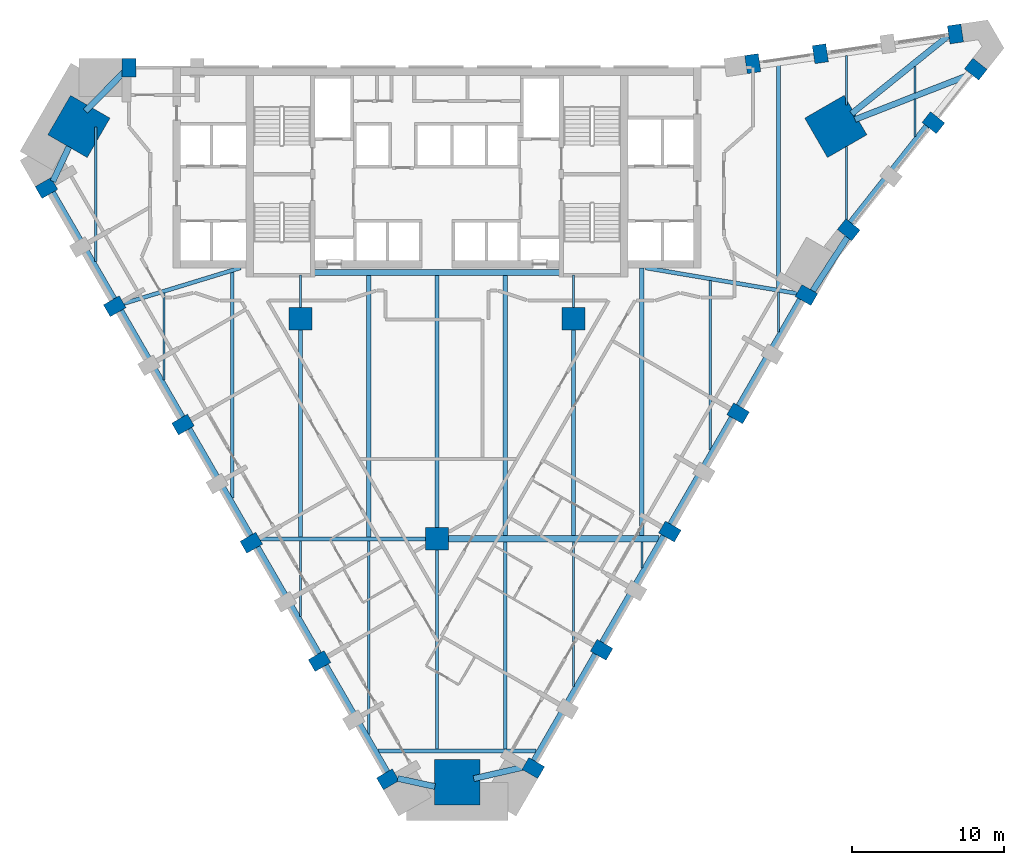
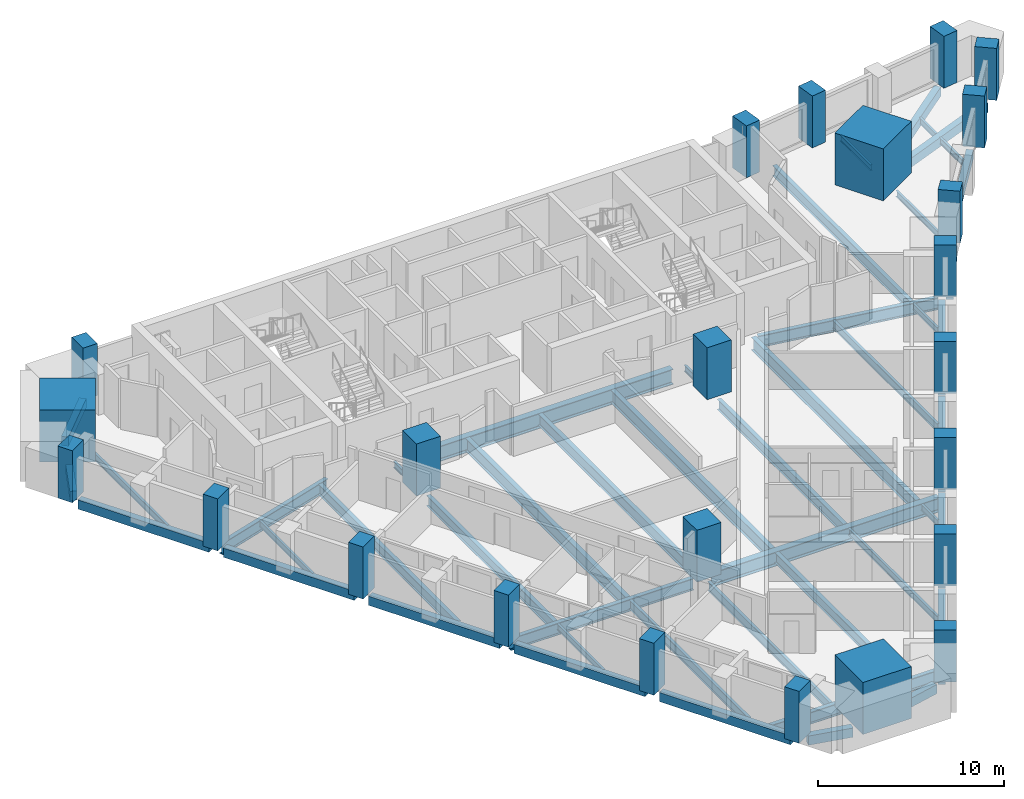
# One storey, part 1 of 10: 47 beams, 24 columns.
"""IFC4 building model written with IfcOpenShell, lengths in metres."""

from ifc_helpers import new_model, si_unit, direction, frame, origin, origin_2d, place, context, subcontext, project, spatial, rectangle, i_section, extrude, material, material_profile, profile_set, type_object, element, save


model = new_model("IFC4")

# Units and contexts
model_context = context("Model", 3, precision=1e-05, world=origin(), true_north=direction((0.0, 1.0)))
body_context = subcontext(model_context, "Body", "Model", "MODEL_VIEW")
ifc_project = project(units=[si_unit("LENGTHUNIT", "METRE"), si_unit("AREAUNIT", "SQUARE_METRE"), si_unit("VOLUMEUNIT", "CUBIC_METRE"), si_unit("PLANEANGLEUNIT", "RADIAN"), si_unit("MASSUNIT", "GRAM", prefix="KILO")], contexts=[model_context])

# Site, building, storey
site_placement = place(None, origin())
site = spatial("IfcSite", under=ifc_project, at=site_placement, CompositionType="ELEMENT")
building_placement = place(site_placement, origin())
building = spatial("IfcBuilding", under=site, at=building_placement, Name="Calabash Gate Tower", CompositionType="ELEMENT")
storey_placement = place(building_placement, frame((0.0, 0.0, 95.199951171875)))
storey = spatial("IfcBuildingStorey", under=building, at=storey_placement, Name="L20", CompositionType="ELEMENT", Elevation=95.199951171875)

# Columns
ifc_material_1 = material(Name="Concrete C80/95", Category="concrete")
ifc_material_profile_1 = material_profile(ifc_material_1, rectangle(XDim=1.5, YDim=1.5, at=origin_2d()))
ifc_profile_set_1 = profile_set([ifc_material_profile_1], Name="Concrete C80/95")
column_type_1 = type_object("IfcColumnType", Name="Interior column RC 1500x1500 Concrete C80/95", PredefinedType="COLUMN", material=ifc_profile_set_1)
for number, where, z_axis, x_axis, name in (
    (1, (-9.0, 2.5, 0.0), (0.0, 0.0, 1.0), (1.0, 0.0, 0.0), "Interior column L20 I0"),
    (2, (9.0, 2.5, 0.0), (0.0, 0.0, 1.0), (1.0, 0.0, 0.0), "Interior column L20 I1"),
    (3, (0.0, -12.0, 0.0), (0.0, 0.0, 1.0), (1.0, 0.0, 0.0), "Interior column L20 I2"),
):
    element("IfcColumn", number, at=place(storey_placement, frame(where, z_axis=z_axis, x_axis=x_axis)), inside=storey, type_object=column_type_1, Name=name, PredefinedType="COLUMN", context=body_context, shape_type="SweptSolid", body=[
        extrude(rectangle(XDim=1.5, YDim=1.5, at=origin_2d()), origin(), (0.0, 0.0, 1.0), 3.400146484375),
    ])
ifc_material_2 = material(Name="Concrete C80/95", Category="concrete")
ifc_material_profile_2 = material_profile(ifc_material_2, rectangle(XDim=3.0, YDim=3.0, at=origin_2d()))
ifc_profile_set_2 = profile_set([ifc_material_profile_2], Name="Concrete C80/95")
column_type_2 = type_object("IfcColumnType", Name="Mega column RC 3000x3000 Concrete C80/95", PredefinedType="COLUMN", material=ifc_profile_set_2)
for number, where, z_axis, x_axis, name in (
    (4, (-23.60302734375, 15.177001953125, 0.0), (0.0, 0.0, 1.0), (0.866025438691, -0.49999993954, 0.0), "Mega column L20 NW"),
    (5, (26.283935546875, 15.177001953125, 0.0), (0.0, 0.0, 1.0), (-0.866025438691, -0.49999993954, 0.0), "Mega column L20 NE"),
    (6, (1.340087890625, -28.030029296875, 0.0), (0.0, 0.0, 1.0), (0.0, 1.0, 0.0), "Mega column L20 S"),
):
    element("IfcColumn", number, at=place(storey_placement, frame(where, z_axis=z_axis, x_axis=x_axis)), inside=storey, type_object=column_type_2, Name=name, PredefinedType="COLUMN", context=body_context, shape_type="SweptSolid", body=[
        extrude(rectangle(XDim=3.0, YDim=3.0, at=origin_2d()), origin(), (0.0, 0.0, 1.0), 3.400146484375),
    ])
ifc_material_3 = material(Name="Concrete C70/85", Category="concrete")
ifc_material_profile_3 = material_profile(ifc_material_3, rectangle(XDim=0.89990234375, YDim=1.199951171875, at=origin_2d()))
ifc_profile_set_3 = profile_set([ifc_material_profile_3], Name="Concrete C70/85")
column_type_3 = type_object("IfcColumnType", Name="Perimeter column RC 900x1200 Concrete C70/85", PredefinedType="COLUMN", material=ifc_profile_set_3)
for number, where, z_axis, x_axis, name in (
    (7, (-25.740966796875, 11.118896484375, 0.0), (0.0, 0.0, 1.0), (0.5, -0.866025403784, 0.0), "Perimeter column L20 P20"),
    (8, (-21.240966796875, 3.326904296875, 0.0), (0.0, 0.0, 1.0), (0.5, -0.866025403784, 0.0), "Perimeter column L20 P00"),
    (9, (-16.740966796875, -4.468994140625, 0.0), (0.0, 0.0, 1.0), (0.5, -0.866025403784, 0.0), "Perimeter column L20 P01"),
    (10, (-12.240966796875, -12.262939453125, 0.0), (0.0, 0.0, 1.0), (0.5, -0.866025403784, 0.0), "Perimeter column L20 P02"),
    (11, (-7.740966796875, -20.05810546875, 0.0), (0.0, 0.0, 1.0), (0.5, -0.866025403784, 0.0), "Perimeter column L20 P03"),
    (12, (-3.240966796875, -27.85205078125, 0.0), (0.0, 0.0, 1.0), (0.5, -0.866025403784, 0.0), "Perimeter column L20 P05"),
    (13, (6.346923828125, -27.111083984375, 0.0), (0.0, 0.0, 1.0), (0.5, 0.866025403784, 0.0), "Perimeter column L20 P08"),
    (14, (10.846923828125, -19.31689453125, 0.0), (0.0, 0.0, 1.0), (0.5, 0.866025403784, 0.0), "Perimeter column L20 P09"),
    (15, (15.346923828125, -11.52294921875, 0.0), (0.0, 0.0, 1.0), (0.5, 0.866025403784, 0.0), "Perimeter column L20 P10"),
    (16, (19.846923828125, -3.72802734375, 0.0), (0.0, 0.0, 1.0), (0.5, 0.866025403784, 0.0), "Perimeter column L20 P11"),
    (17, (24.346923828125, 4.06591796875, 0.0), (0.0, 0.0, 1.0), (0.5, 0.866025403784, 0.0), "Perimeter column L20 P12"),
    (18, (27.135986328125, 8.366943359375, 0.0), (0.0, 0.0, 1.0), (0.620301172202, 0.784363726701, 0.0), "Perimeter column L20 P13"),
    (19, (32.718994140625, 15.424072265625, 0.0), (0.0, 0.0, 1.0), (0.620301172202, 0.784363726701, 0.0), "Perimeter column L20 P21"),
    (20, (35.510009765625, 18.9541015625, 0.0), (0.0, 0.0, 1.0), (0.620301172202, 0.784363726701, 0.0), "Perimeter column L20 P22"),
    (21, (34.169921875, 21.27587890625, 0.0), (0.0, 0.0, 1.0), (-0.989429504293, -0.145014675236, 0.0), "Perimeter column L20 P23"),
    (22, (25.26708984375, 19.970947265625, 0.0), (0.0, 0.0, 1.0), (-0.989429504293, -0.145014675236, 0.0), "Perimeter column L20 P16"),
    (23, (20.81201171875, 19.318115234375, 0.0), (0.0, 0.0, 1.0), (-0.989429504293, -0.145014675236, 0.0), "Perimeter column L20 P24"),
    (24, (-20.302978515625, 19.052978515625, 0.0), (0.0, 0.0, 1.0), (-1.0, 0.0, 0.0), "Perimeter column L20 P17"),
):
    element("IfcColumn", number, at=place(storey_placement, frame(where, z_axis=z_axis, x_axis=x_axis)), inside=storey, type_object=column_type_3, Name=name, PredefinedType="COLUMN", context=body_context, shape_type="SweptSolid", body=[
        extrude(rectangle(XDim=0.89990234375, YDim=1.199951171875, at=origin_2d()), origin(), (0.0, 0.0, 1.0), 3.400146484375),
    ])

# Beams
ifc_material_4 = material(Name="Concrete C60/75", Category="concrete")
ifc_material_profile_4 = material_profile(ifc_material_4, rectangle(XDim=0.39990234375, YDim=0.60009765625, at=origin_2d()))
ifc_profile_set_4 = profile_set([ifc_material_profile_4], Name="Concrete C60/75")
beam_type_1 = type_object("IfcBeamType", Name="Edge beam RC 400x600 Concrete C60/75", PredefinedType="BEAM", material=ifc_profile_set_4)
beam_1_placement = place(storey_placement, frame((-16.343017578125, -4.759033203125, -0.469970703125), z_axis=(0.499999880539, -0.866025472755, 0.0), x_axis=(0.866025472755, 0.499999880539, 0.0)))
element("IfcBeam", 25, at=beam_1_placement, inside=storey, type_object=beam_type_1, Name="Edge beam L20 1", PredefinedType="BEAM", context=body_context, shape_type="SweptSolid", body=[
    extrude(rectangle(XDim=0.39990234375, YDim=0.60009765625, at=origin_2d()), origin(), (0.0, 0.0, 1.0), 8.10009765625),
])
for number, where, z_axis, x_axis, name in (
    (26, (-11.843017578125, -12.552978515625, -0.469970703125), (0.499986829629, -0.866033007568, 0.0), (0.866033007568, 0.499986829629, 0.0), "Edge beam L20 2"),
    (27, (-7.343017578125, -20.346923828125, -0.469970703125), (0.499986829629, -0.866033007568, 0.0), (0.866033007568, 0.499986829629, 0.0), "Edge beam L20 3"),
):
    element("IfcBeam", number, at=place(storey_placement, frame(where, z_axis=z_axis, x_axis=x_axis)), inside=storey, type_object=beam_type_1, Name=name, PredefinedType="BEAM", context=body_context, shape_type="SweptSolid", body=[
        extrude(rectangle(XDim=0.39990234375, YDim=0.60009765625, at=origin_2d()), origin(), (0.0, 0.0, 1.0), 8.100341796875),
    ])
beam_2_placement = place(storey_placement, frame((-2.592041015625, -27.79296875, -0.469970703125), z_axis=(0.976668907424, -0.214750658372, 0.0), x_axis=(0.214750658372, 0.976668907424, 0.0)))
element("IfcBeam", 28, at=beam_2_placement, inside=storey, type_object=beam_type_1, Name="Edge beam L20 4", PredefinedType="BEAM", context=body_context, shape_type="SweptSolid", body=[
    extrude(rectangle(XDim=0.39990234375, YDim=0.60009765625, at=origin_2d()), origin(), (0.0, 0.0, 1.0), 2.5146484375),
])
beam_3_placement = place(storey_placement, frame((2.41796875, -27.805908203125, -0.469970703125), z_axis=(0.974636441544, 0.223794117022, 0.0), x_axis=(-0.223794117022, 0.974636441544, 0.0)))
element("IfcBeam", 29, at=beam_3_placement, inside=storey, type_object=beam_type_1, Name="Edge beam L20 5", PredefinedType="BEAM", context=body_context, shape_type="SweptSolid", body=[
    extrude(rectangle(XDim=0.39990234375, YDim=0.60009765625, at=origin_2d()), origin(), (0.0, 0.0, 1.0), 3.364501953125),
])
beam_4_placement = place(storey_placement, frame((6.39892578125, -26.62109375, -0.469970703125), z_axis=(0.499986829629, 0.866033007568, 0.0), x_axis=(-0.866033007568, 0.499986829629, 0.0)))
element("IfcBeam", 30, at=beam_4_placement, inside=storey, type_object=beam_type_1, Name="Edge beam L20 6", PredefinedType="BEAM", context=body_context, shape_type="SweptSolid", body=[
    extrude(rectangle(XDim=0.39990234375, YDim=0.60009765625, at=origin_2d()), origin(), (0.0, 0.0, 1.0), 8.100341796875),
])
for number, where, z_axis, x_axis, name in (
    (31, (10.89892578125, -18.826904296875, -0.469970703125), (0.499999880539, 0.866025472755, 0.0), (-0.866025472755, 0.499999880539, 0.0), "Edge beam L20 7"),
    (32, (15.39892578125, -11.032958984375, -0.469970703125), (0.499999880539, 0.866025472755, 0.0), (-0.866025472755, 0.499999880539, 0.0), "Edge beam L20 8"),
    (33, (19.89892578125, -3.239013671875, -0.469970703125), (0.499999880539, 0.866025472755, 0.0), (-0.866025472755, 0.499999880539, 0.0), "Edge beam L20 9"),
):
    element("IfcBeam", number, at=place(storey_placement, frame(where, z_axis=z_axis, x_axis=x_axis)), inside=storey, type_object=beam_type_1, Name=name, PredefinedType="BEAM", context=body_context, shape_type="SweptSolid", body=[
        extrude(rectangle(XDim=0.39990234375, YDim=0.60009765625, at=origin_2d()), origin(), (0.0, 0.0, 1.0), 8.10009765625),
    ])
beam_5_placement = place(storey_placement, frame((24.75390625, 4.326904296875, -0.469970703125), z_axis=(0.544376860002, 0.83884076814, 0.0), x_axis=(-0.83884076814, 0.544376860002, 0.0)))
element("IfcBeam", 34, at=beam_5_placement, inside=storey, type_object=beam_type_1, Name="Edge beam L20 10", PredefinedType="BEAM", context=body_context, shape_type="SweptSolid", body=[
    extrude(rectangle(XDim=0.39990234375, YDim=0.60009765625, at=origin_2d()), origin(), (0.0, 0.0, 1.0), 4.22509765625),
])
beam_6_placement = place(storey_placement, frame((27.259033203125, 8.842041015625, -0.469970703125), z_axis=(0.620163994237, 0.784472192147, 0.0), x_axis=(-0.784472192147, 0.620163994237, 0.0)))
element("IfcBeam", 35, at=beam_6_placement, inside=storey, type_object=beam_type_1, Name="Edge beam L20 11", PredefinedType="BEAM", context=body_context, shape_type="SweptSolid", body=[
    extrude(rectangle(XDim=0.39990234375, YDim=0.60009765625, at=origin_2d()), origin(), (0.0, 0.0, 1.0), 8.10107421875),
])
beam_7_placement = place(storey_placement, frame((35.22705078125, 18.62890625, -0.469970703125), z_axis=(-0.931717680749, -0.363183374317, 0.0), x_axis=(0.363183374317, -0.931717680749, 0.0)))
element("IfcBeam", 36, at=beam_7_placement, inside=storey, type_object=beam_type_1, Name="Edge beam L20 13", PredefinedType="BEAM", context=body_context, shape_type="SweptSolid", body=[
    extrude(rectangle(XDim=0.39990234375, YDim=0.60009765625, at=origin_2d()), origin(), (0.0, 0.0, 1.0), 8.24609375),
])
beam_8_placement = place(storey_placement, frame((27.323974609375, 16.01708984375, -0.469970703125), z_axis=(0.778669142045, 0.62743475137, 0.0), x_axis=(-0.62743475137, 0.778669142045, 0.0)))
element("IfcBeam", 37, at=beam_8_placement, inside=storey, type_object=beam_type_1, Name="Edge beam L20 14", PredefinedType="BEAM", context=body_context, shape_type="SweptSolid", body=[
    extrude(rectangle(XDim=0.39990234375, YDim=0.60009765625, at=origin_2d()), origin(), (0.0, 0.0, 1.0), 8.24755859375),
])
beam_9_placement = place(storey_placement, frame((-20.5419921875, 18.845947265625, -0.469970703125), z_axis=(-0.70442676578, -0.70977667731, 0.0), x_axis=(0.70977667731, -0.70442676578, 0.0)))
element("IfcBeam", 38, at=beam_9_placement, inside=storey, type_object=beam_type_1, Name="Edge beam L20 17", PredefinedType="BEAM", context=body_context, shape_type="SweptSolid", body=[
    extrude(rectangle(XDim=0.39990234375, YDim=0.60009765625, at=origin_2d()), origin(), (0.0, 0.0, 1.0), 3.741943359375),
])
beam_10_placement = place(storey_placement, frame((-24.259033203125, 13.837890625, -0.469970703125), z_axis=(-0.42085214223, -0.907129248994, 0.0), x_axis=(0.907129248994, -0.42085214223, 0.0)))
element("IfcBeam", 39, at=beam_10_placement, inside=storey, type_object=beam_type_1, Name="Edge beam L20 18", PredefinedType="BEAM", context=body_context, shape_type="SweptSolid", body=[
    extrude(rectangle(XDim=0.39990234375, YDim=0.60009765625, at=origin_2d()), origin(), (0.0, 0.0, 1.0), 2.518798828125),
])
beam_11_placement = place(storey_placement, frame((-25.343017578125, 10.830078125, -0.469970703125), z_axis=(0.500091252813, -0.865972712538, 0.0), x_axis=(0.865972712538, 0.500091252813, 0.0)))
element("IfcBeam", 40, at=beam_11_placement, inside=storey, type_object=beam_type_1, Name="Edge beam L20 19", PredefinedType="BEAM", context=body_context, shape_type="SweptSolid", body=[
    extrude(rectangle(XDim=0.39990234375, YDim=0.60009765625, at=origin_2d()), origin(), (0.0, 0.0, 1.0), 8.0986328125),
])
beam_12_placement = place(storey_placement, frame((-20.843017578125, 3.037109375, -0.469970703125), z_axis=(0.499934631664, -0.866063140922, 0.0), x_axis=(0.866063140922, 0.499934631664, 0.0)))
element("IfcBeam", 41, at=beam_12_placement, inside=storey, type_object=beam_type_1, Name="Edge beam L20 20", PredefinedType="BEAM", context=body_context, shape_type="SweptSolid", body=[
    extrude(rectangle(XDim=0.39990234375, YDim=0.60009765625, at=origin_2d()), origin(), (0.0, 0.0, 1.0), 8.10107421875),
])
ifc_material_5 = material(Name="Steel ASTM A992 Gr50", Category="steel")
ifc_material_profile_5 = material_profile(ifc_material_5, i_section(OverallWidth=0.1396484375, OverallDepth=0.398681640625, WebThickness=0.00634765625, FlangeThickness=0.0087890625, FilletRadius=0.01025390625, at=origin_2d()))
ifc_profile_set_5 = profile_set([ifc_material_profile_5], Name="Steel ASTM A992 Gr50")
beam_type_2 = type_object("IfcBeamType", Name="Floor beam W16x26 ASTM A992 Gr50", PredefinedType="BEAM", material=ifc_profile_set_5)
beam_13_placement = place(storey_placement, frame((-18.0, -1.52001953125, -0.368896484375), z_axis=(0.0, 1.0, 0.0), x_axis=(-1.0, 0.0, 0.0)))
element("IfcBeam", 42, at=beam_13_placement, inside=storey, type_object=beam_type_2, Name="Floor beam L20 2", PredefinedType="BEAM", context=body_context, shape_type="SweptSolid", body=[
    extrude(i_section(OverallWidth=0.1396484375, OverallDepth=0.398681640625, WebThickness=0.00634765625, FlangeThickness=0.0087890625, FilletRadius=0.01025390625, at=origin_2d()), origin(), (0.0, 0.0, 1.0), 5.718994140625),
])
beam_14_placement = place(storey_placement, frame((-9.0, -17.10791015625, -0.368896484375), z_axis=(0.0, 1.0, 0.0), x_axis=(-1.0, 0.0, 0.0)))
element("IfcBeam", 43, at=beam_14_placement, inside=storey, type_object=beam_type_2, Name="Floor beam L20 4", PredefinedType="BEAM", context=body_context, shape_type="SweptSolid", body=[
    extrude(i_section(OverallWidth=0.1396484375, OverallDepth=0.398681640625, WebThickness=0.00634765625, FlangeThickness=0.0087890625, FilletRadius=0.01025390625, at=origin_2d()), origin(), (0.0, 0.0, 1.0), 4.974853515625),
])
for number, where, z_axis, x_axis, name in (
    (44, (-9.0, 3.25, -0.368896484375), (0.0, 1.0, 0.0), (-1.0, 0.0, 0.0), "Floor beam L20 6"),
    (45, (9.0, 3.25, -0.368896484375), (0.0, 1.0, 0.0), (-1.0, 0.0, 0.0), "Floor beam L20 15"),
):
    element("IfcBeam", number, at=place(storey_placement, frame(where, z_axis=z_axis, x_axis=x_axis)), inside=storey, type_object=beam_type_2, Name=name, PredefinedType="BEAM", context=body_context, shape_type="SweptSolid", body=[
        extrude(i_section(OverallWidth=0.1396484375, OverallDepth=0.398681640625, WebThickness=0.00634765625, FlangeThickness=0.0087890625, FilletRadius=0.01025390625, at=origin_2d()), origin(), (0.0, 0.0, 1.0), 2.153076171875),
    ])
beam_15_placement = place(storey_placement, frame((13.5, -13.93408203125, -0.368896484375), z_axis=(0.0, 1.0, 0.0), x_axis=(-1.0, 0.0, 0.0)))
element("IfcBeam", 46, at=beam_15_placement, inside=storey, type_object=beam_type_2, Name="Floor beam L20 16", PredefinedType="BEAM", context=body_context, shape_type="SweptSolid", body=[
    extrude(i_section(OverallWidth=0.1396484375, OverallDepth=0.398681640625, WebThickness=0.00634765625, FlangeThickness=0.0087890625, FilletRadius=0.01025390625, at=origin_2d()), origin(), (0.0, 0.0, 1.0), 1.72412109375),
])
beam_16_placement = place(storey_placement, frame((22.5, 1.634033203125, -0.368896484375), z_axis=(0.0, 1.0, 0.0), x_axis=(-1.0, 0.0, 0.0)))
element("IfcBeam", 47, at=beam_16_placement, inside=storey, type_object=beam_type_2, Name="Floor beam L20 19", PredefinedType="BEAM", context=body_context, shape_type="SweptSolid", body=[
    extrude(i_section(OverallWidth=0.1396484375, OverallDepth=0.398681640625, WebThickness=0.00634765625, FlangeThickness=0.0087890625, FilletRadius=0.01025390625, at=origin_2d()), origin(), (0.0, 0.0, 1.0), 2.623046875),
])
beam_17_placement = place(storey_placement, frame((27.0, 9.02392578125, -0.368896484375), z_axis=(0.0, 1.0, 0.0), x_axis=(-1.0, 0.0, 0.0)))
element("IfcBeam", 48, at=beam_17_placement, inside=storey, type_object=beam_type_2, Name="Floor beam L20 21", PredefinedType="BEAM", context=body_context, shape_type="SweptSolid", body=[
    extrude(i_section(OverallWidth=0.1396484375, OverallDepth=0.398681640625, WebThickness=0.00634765625, FlangeThickness=0.0087890625, FilletRadius=0.01025390625, at=origin_2d()), origin(), (0.0, 0.0, 1.0), 4.84716796875),
])
beam_18_placement = place(storey_placement, frame((27.0, 16.60400390625, -0.368896484375), z_axis=(0.0, 1.0, 0.0), x_axis=(-1.0, 0.0, 0.0)))
element("IfcBeam", 49, at=beam_18_placement, inside=storey, type_object=beam_type_2, Name="Floor beam L20 22", PredefinedType="BEAM", context=body_context, shape_type="SweptSolid", body=[
    extrude(i_section(OverallWidth=0.1396484375, OverallDepth=0.398681640625, WebThickness=0.00634765625, FlangeThickness=0.0087890625, FilletRadius=0.01025390625, at=origin_2d()), origin(), (0.0, 0.0, 1.0), 3.2490234375),
])
beam_19_placement = place(storey_placement, frame((31.5, 14.51611328125, -0.368896484375), z_axis=(0.0, 1.0, 0.0), x_axis=(-1.0, 0.0, 0.0)))
element("IfcBeam", 50, at=beam_19_placement, inside=storey, type_object=beam_type_2, Name="Floor beam L20 23", PredefinedType="BEAM", context=body_context, shape_type="SweptSolid", body=[
    extrude(i_section(OverallWidth=0.1396484375, OverallDepth=0.398681640625, WebThickness=0.00634765625, FlangeThickness=0.0087890625, FilletRadius=0.01025390625, at=origin_2d()), origin(), (0.0, 0.0, 1.0), 2.477783203125),
])
beam_20_placement = place(storey_placement, frame((31.5, 17.37890625, -0.368896484375), z_axis=(0.0, 1.0, 0.0), x_axis=(-1.0, 0.0, 0.0)))
element("IfcBeam", 51, at=beam_20_placement, inside=storey, type_object=beam_type_2, Name="Floor beam L20 24", PredefinedType="BEAM", context=body_context, shape_type="SweptSolid", body=[
    extrude(i_section(OverallWidth=0.1396484375, OverallDepth=0.398681640625, WebThickness=0.00634765625, FlangeThickness=0.0087890625, FilletRadius=0.01025390625, at=origin_2d()), origin(), (0.0, 0.0, 1.0), 1.76708984375),
])
ifc_material_6 = material(Name="Steel ASTM A992 Gr50", Category="steel")
ifc_material_profile_6 = material_profile(ifc_material_6, i_section(OverallWidth=0.15234375, OverallDepth=0.44970703125, WebThickness=0.007568359375, FlangeThickness=0.0107421875, FilletRadius=0.01025390625, at=origin_2d()))
ifc_profile_set_6 = profile_set([ifc_material_profile_6], Name="Steel ASTM A992 Gr50")
beam_type_3 = type_object("IfcBeamType", Name="Floor beam W18x35 ASTM A992 Gr50", PredefinedType="BEAM", material=ifc_profile_set_6)
beam_21_placement = place(storey_placement, frame((-22.5, 6.27392578125, -0.39306640625), z_axis=(0.0, 1.0, 0.0), x_axis=(-1.0, 0.0, 0.0)))
element("IfcBeam", 52, at=beam_21_placement, inside=storey, type_object=beam_type_3, Name="Floor beam L20 1", PredefinedType="BEAM", context=body_context, shape_type="SweptSolid", body=[
    extrude(i_section(OverallWidth=0.15234375, OverallDepth=0.44970703125, WebThickness=0.007568359375, FlangeThickness=0.0107421875, FilletRadius=0.01025390625, at=origin_2d()), origin(), (0.0, 0.0, 1.0), 8.8681640625),
])
beam_22_placement = place(storey_placement, frame((9.0, -21.72900390625, -0.39306640625), z_axis=(0.0, 1.0, 0.0), x_axis=(-1.0, 0.0, 0.0)))
element("IfcBeam", 53, at=beam_22_placement, inside=storey, type_object=beam_type_3, Name="Floor beam L20 13", PredefinedType="BEAM", context=body_context, shape_type="SweptSolid", body=[
    extrude(i_section(OverallWidth=0.15234375, OverallDepth=0.44970703125, WebThickness=0.007568359375, FlangeThickness=0.0107421875, FilletRadius=0.01025390625, at=origin_2d()), origin(), (0.0, 0.0, 1.0), 9.51904296875),
])
ifc_material_7 = material(Name="Steel ASTM A992 Gr50", Category="steel")
ifc_material_profile_7 = material_profile(ifc_material_7, i_section(OverallWidth=0.166015625, OverallDepth=0.5283203125, WebThickness=0.009765625, FlangeThickness=0.013671875, FilletRadius=0.0126953125, at=origin_2d()))
ifc_profile_set_7 = profile_set([ifc_material_profile_7], Name="Steel ASTM A992 Gr50")
beam_type_4 = type_object("IfcBeamType", Name="Floor beam W21x50 ASTM A992 Gr50", PredefinedType="BEAM", material=ifc_profile_set_7)
beam_23_placement = place(storey_placement, frame((18.0, -6.159912109375, -0.433837890625), z_axis=(0.0, 1.0, 0.0), x_axis=(-1.0, 0.0, 0.0)))
element("IfcBeam", 54, at=beam_23_placement, inside=storey, type_object=beam_type_4, Name="Floor beam L20 18", PredefinedType="BEAM", context=body_context, shape_type="SweptSolid", body=[
    extrude(i_section(OverallWidth=0.166015625, OverallDepth=0.5283203125, WebThickness=0.009765625, FlangeThickness=0.013671875, FilletRadius=0.0126953125, at=origin_2d()), origin(), (0.0, 0.0, 1.0), 11.197021484375),
])
ifc_material_8 = material(Name="Steel ASTM A992 Gr50", Category="steel")
ifc_material_profile_8 = material_profile(ifc_material_8, i_section(OverallWidth=0.1787109375, OverallDepth=0.60205078125, WebThickness=0.010986328125, FlangeThickness=0.014892578125, FilletRadius=0.0126953125, at=origin_2d()))
ifc_profile_set_8 = profile_set([ifc_material_profile_8], Name="Steel ASTM A992 Gr50")
beam_type_5 = type_object("IfcBeamType", Name="Floor beam W24x62 ASTM A992 Gr50", PredefinedType="BEAM", material=ifc_profile_set_8)
beam_24_placement = place(storey_placement, frame((-4.5, -24.903076171875, -0.470947265625), z_axis=(0.0, 1.0, 0.0), x_axis=(-1.0, 0.0, 0.0)))
element("IfcBeam", 55, at=beam_24_placement, inside=storey, type_object=beam_type_5, Name="Floor beam L20 7", PredefinedType="BEAM", context=body_context, shape_type="SweptSolid", body=[
    extrude(i_section(OverallWidth=0.1787109375, OverallDepth=0.60205078125, WebThickness=0.010986328125, FlangeThickness=0.014892578125, FilletRadius=0.0126953125, at=origin_2d()), origin(), (0.0, 0.0, 1.0), 12.77001953125),
])
beam_25_placement = place(storey_placement, frame((0.0, -25.866943359375, -0.470947265625), z_axis=(0.0, 1.0, 0.0), x_axis=(-1.0, 0.0, 0.0)))
element("IfcBeam", 56, at=beam_25_placement, inside=storey, type_object=beam_type_5, Name="Floor beam L20 9", PredefinedType="BEAM", context=body_context, shape_type="SweptSolid", body=[
    extrude(i_section(OverallWidth=0.1787109375, OverallDepth=0.60205078125, WebThickness=0.010986328125, FlangeThickness=0.014892578125, FilletRadius=0.0126953125, at=origin_2d()), origin(), (0.0, 0.0, 1.0), 13.116943359375),
])
ifc_material_9 = material(Name="Steel ASTM A992 Gr50", Category="steel")
ifc_material_profile_9 = material_profile(ifc_material_9, i_section(OverallWidth=0.25390625, OverallDepth=0.67822265625, WebThickness=0.01171875, FlangeThickness=0.016357421875, FilletRadius=0.01513671875, at=origin_2d()))
ifc_profile_set_9 = profile_set([ifc_material_profile_9], Name="Steel ASTM A992 Gr50")
beam_type_6 = type_object("IfcBeamType", Name="Floor beam W27x84 ASTM A992 Gr50", PredefinedType="BEAM", material=ifc_profile_set_9)
beam_26_placement = place(storey_placement, frame((-13.5, -9.31396484375, -0.509033203125), z_axis=(0.0, 1.0, 0.0), x_axis=(-1.0, 0.0, 0.0)))
element("IfcBeam", 57, at=beam_26_placement, inside=storey, type_object=beam_type_6, Name="Floor beam L20 3", PredefinedType="BEAM", context=body_context, shape_type="SweptSolid", body=[
    extrude(i_section(OverallWidth=0.25390625, OverallDepth=0.67822265625, WebThickness=0.01171875, FlangeThickness=0.016357421875, FilletRadius=0.01513671875, at=origin_2d()), origin(), (0.0, 0.0, 1.0), 14.889892578125),
])
beam_27_placement = place(storey_placement, frame((-9.0, -11.866943359375, -0.509033203125), z_axis=(0.0, 1.0, 0.0), x_axis=(-1.0, 0.0, 0.0)))
element("IfcBeam", 58, at=beam_27_placement, inside=storey, type_object=beam_type_6, Name="Floor beam L20 5", PredefinedType="BEAM", context=body_context, shape_type="SweptSolid", body=[
    extrude(i_section(OverallWidth=0.25390625, OverallDepth=0.67822265625, WebThickness=0.01171875, FlangeThickness=0.016357421875, FilletRadius=0.01513671875, at=origin_2d()), origin(), (0.0, 0.0, 1.0), 13.616943359375),
])
beam_28_placement = place(storey_placement, frame((4.5, -25.866943359375, -0.509033203125), z_axis=(0.0, 1.0, 0.0), x_axis=(-1.0, 0.0, 0.0)))
element("IfcBeam", 59, at=beam_28_placement, inside=storey, type_object=beam_type_6, Name="Floor beam L20 11", PredefinedType="BEAM", context=body_context, shape_type="SweptSolid", body=[
    extrude(i_section(OverallWidth=0.25390625, OverallDepth=0.67822265625, WebThickness=0.01171875, FlangeThickness=0.016357421875, FilletRadius=0.01513671875, at=origin_2d()), origin(), (0.0, 0.0, 1.0), 13.656982421875),
])
beam_29_placement = place(storey_placement, frame((9.0, -11.7900390625, -0.509033203125), z_axis=(0.0, 1.0, 0.0), x_axis=(-1.0, 0.0, 0.0)))
element("IfcBeam", 60, at=beam_29_placement, inside=storey, type_object=beam_type_6, Name="Floor beam L20 14", PredefinedType="BEAM", context=body_context, shape_type="SweptSolid", body=[
    extrude(i_section(OverallWidth=0.25390625, OverallDepth=0.67822265625, WebThickness=0.01171875, FlangeThickness=0.016357421875, FilletRadius=0.01513671875, at=origin_2d()), origin(), (0.0, 0.0, 1.0), 13.5400390625),
])
beam_30_placement = place(storey_placement, frame((22.5, 4.48095703125, -0.509033203125), z_axis=(0.0, 1.0, 0.0), x_axis=(-1.0, 0.0, 0.0)))
element("IfcBeam", 61, at=beam_30_placement, inside=storey, type_object=beam_type_6, Name="Floor beam L20 20", PredefinedType="BEAM", context=body_context, shape_type="SweptSolid", body=[
    extrude(i_section(OverallWidth=0.25390625, OverallDepth=0.67822265625, WebThickness=0.01171875, FlangeThickness=0.016357421875, FilletRadius=0.01513671875, at=origin_2d()), origin(), (0.0, 0.0, 1.0), 14.712158203125),
])
ifc_material_10 = material(Name="Steel ASTM A992 Gr50", Category="steel")
ifc_material_profile_10 = material_profile(ifc_material_10, i_section(OverallWidth=0.2666015625, OverallDepth=0.7568359375, WebThickness=0.013916015625, FlangeThickness=0.019287109375, FilletRadius=0.0166015625, at=origin_2d()))
ifc_profile_set_10 = profile_set([ifc_material_profile_10], Name="Steel ASTM A992 Gr50")
beam_type_7 = type_object("IfcBeamType", Name="Floor beam W30x108 ASTM A992 Gr50", PredefinedType="BEAM", material=ifc_profile_set_10)
beam_31_placement = place(storey_placement, frame((0.0, -11.25, -0.5478515625), z_axis=(0.0, 1.0, 0.0), x_axis=(-1.0, 0.0, 0.0)))
element("IfcBeam", 62, at=beam_31_placement, inside=storey, type_object=beam_type_7, Name="Floor beam L20 10", PredefinedType="BEAM", context=body_context, shape_type="SweptSolid", body=[
    extrude(i_section(OverallWidth=0.2666015625, OverallDepth=0.7568359375, WebThickness=0.013916015625, FlangeThickness=0.019287109375, FilletRadius=0.0166015625, at=origin_2d()), origin(), (0.0, 0.0, 1.0), 16.60205078125),
])
ifc_material_11 = material(Name="Steel ASTM A992 Gr50", Category="steel")
ifc_material_profile_11 = material_profile(ifc_material_11, i_section(OverallWidth=0.2919921875, OverallDepth=0.845703125, WebThickness=0.015380859375, FlangeThickness=0.0244140625, FilletRadius=0.017822265625, at=origin_2d()))
ifc_profile_set_11 = profile_set([ifc_material_profile_11], Name="Steel ASTM A992 Gr50")
beam_type_8 = type_object("IfcBeamType", Name="Floor beam W33x141 ASTM A992 Gr50", PredefinedType="BEAM", material=ifc_profile_set_11)
beam_32_placement = place(storey_placement, frame((-4.5, -11.866943359375, -0.593017578125), z_axis=(0.0, 1.0, 0.0), x_axis=(-1.0, 0.0, 0.0)))
element("IfcBeam", 63, at=beam_32_placement, inside=storey, type_object=beam_type_8, Name="Floor beam L20 8", PredefinedType="BEAM", context=body_context, shape_type="SweptSolid", body=[
    extrude(i_section(OverallWidth=0.2919921875, OverallDepth=0.845703125, WebThickness=0.015380859375, FlangeThickness=0.0244140625, FilletRadius=0.017822265625, at=origin_2d()), origin(), (0.0, 0.0, 1.0), 17.218994140625),
])
beam_33_placement = place(storey_placement, frame((4.5, -11.7900390625, -0.593017578125), z_axis=(0.0, 1.0, 0.0), x_axis=(-1.0, 0.0, 0.0)))
element("IfcBeam", 64, at=beam_33_placement, inside=storey, type_object=beam_type_8, Name="Floor beam L20 12", PredefinedType="BEAM", context=body_context, shape_type="SweptSolid", body=[
    extrude(i_section(OverallWidth=0.2919921875, OverallDepth=0.845703125, WebThickness=0.015380859375, FlangeThickness=0.0244140625, FilletRadius=0.017822265625, at=origin_2d()), origin(), (0.0, 0.0, 1.0), 17.14208984375),
])
beam_34_placement = place(storey_placement, frame((13.5, -11.7900390625, -0.593017578125), z_axis=(0.0, 1.0, 0.0), x_axis=(-1.0, 0.0, 0.0)))
element("IfcBeam", 65, at=beam_34_placement, inside=storey, type_object=beam_type_8, Name="Floor beam L20 17", PredefinedType="BEAM", context=body_context, shape_type="SweptSolid", body=[
    extrude(i_section(OverallWidth=0.2919921875, OverallDepth=0.845703125, WebThickness=0.015380859375, FlangeThickness=0.0244140625, FilletRadius=0.017822265625, at=origin_2d()), origin(), (0.0, 0.0, 1.0), 17.64306640625),
])
ifc_material_12 = material(Name="Steel ASTM A992 Gr50", Category="steel")
ifc_material_profile_12 = material_profile(ifc_material_12, i_section(OverallWidth=0.2666015625, OverallDepth=0.77978515625, WebThickness=0.0166015625, FlangeThickness=0.030029296875, FilletRadius=0.0166015625, at=origin_2d()))
ifc_profile_set_12 = profile_set([ifc_material_profile_12], Name="Steel ASTM A992 Gr50")
beam_type_9 = type_object("IfcBeamType", Name="Girder W30x148 ASTM A992 Gr50", PredefinedType="BEAM", material=ifc_profile_set_12)
beam_35_placement = place(storey_placement, frame((-20.843017578125, 3.446044921875, -0.56005859375), z_axis=(0.9562077266, 0.292688885321, 0.0), x_axis=(-0.292688885321, 0.9562077266, 0.0)))
element("IfcBeam", 66, at=beam_35_placement, inside=storey, type_object=beam_type_9, Name="Girder L20 2", PredefinedType="BEAM", context=body_context, shape_type="SweptSolid", body=[
    extrude(i_section(OverallWidth=0.2666015625, OverallDepth=0.77978515625, WebThickness=0.0166015625, FlangeThickness=0.030029296875, FilletRadius=0.0166015625, at=origin_2d()), origin(), (0.0, 0.0, 1.0), 8.254638671875),
])
beam_36_placement = place(storey_placement, frame((23.9169921875, 4.138916015625, -0.56005859375), z_axis=(-0.986026592032, 0.166587994181, 0.0), x_axis=(-0.166587994181, -0.986026592032, 0.0)))
element("IfcBeam", 67, at=beam_36_placement, inside=storey, type_object=beam_type_9, Name="Girder L20 3", PredefinedType="BEAM", context=body_context, shape_type="SweptSolid", body=[
    extrude(i_section(OverallWidth=0.2666015625, OverallDepth=0.77978515625, WebThickness=0.0166015625, FlangeThickness=0.030029296875, FilletRadius=0.0166015625, at=origin_2d()), origin(), (0.0, 0.0, 1.0), 10.30712890625),
])
beam_37_placement = place(storey_placement, frame((-11.912109375, -12.0, -0.56005859375), z_axis=(1.0, 0.0, 0.0), x_axis=(0.0, 1.0, 0.0)))
element("IfcBeam", 68, at=beam_37_placement, inside=storey, type_object=beam_type_9, Name="Girder L20 4", PredefinedType="BEAM", context=body_context, shape_type="SweptSolid", body=[
    extrude(i_section(OverallWidth=0.2666015625, OverallDepth=0.77978515625, WebThickness=0.0166015625, FlangeThickness=0.030029296875, FilletRadius=0.0166015625, at=origin_2d()), origin(), (0.0, 0.0, 1.0), 11.342041015625),
])
beam_38_placement = place(storey_placement, frame((-3.8798828125, -26.0, -0.56005859375), z_axis=(1.0, 0.0, 0.0), x_axis=(0.0, 1.0, 0.0)))
element("IfcBeam", 69, at=beam_38_placement, inside=storey, type_object=beam_type_9, Name="Girder L20 6", PredefinedType="BEAM", context=body_context, shape_type="SweptSolid", body=[
    extrude(i_section(OverallWidth=0.2666015625, OverallDepth=0.77978515625, WebThickness=0.0166015625, FlangeThickness=0.030029296875, FilletRadius=0.0166015625, at=origin_2d()), origin(), (0.0, 0.0, 1.0), 10.4189453125),
])
ifc_material_13 = material(Name="Steel ASTM A992 Gr50", Category="steel")
ifc_material_profile_13 = material_profile(ifc_material_13, i_section(OverallWidth=0.419189453125, OverallDepth=0.927001953125, WebThickness=0.019287109375, FlangeThickness=0.031982421875, FilletRadius=0.024169921875, at=origin_2d()))
ifc_profile_set_13 = profile_set([ifc_material_profile_13], Name="Steel ASTM A992 Gr50")
beam_type_10 = type_object("IfcBeamType", Name="Girder W36x231 ASTM A992 Gr50", PredefinedType="BEAM", material=ifc_profile_set_13)
beam_39_placement = place(storey_placement, frame((0.570068359375, -12.0, -0.634033203125), z_axis=(1.0, 0.0, 0.0), x_axis=(0.0, 1.0, 0.0)))
element("IfcBeam", 70, at=beam_39_placement, inside=storey, type_object=beam_type_10, Name="Girder L20 5", PredefinedType="BEAM", context=body_context, shape_type="SweptSolid", body=[
    extrude(i_section(OverallWidth=0.419189453125, OverallDepth=0.927001953125, WebThickness=0.019287109375, FlangeThickness=0.031982421875, FilletRadius=0.024169921875, at=origin_2d()), origin(), (0.0, 0.0, 1.0), 14.052001953125),
])
ifc_material_14 = material(Name="Steel ASTM A992 Gr50", Category="steel")
ifc_material_profile_14 = material_profile(ifc_material_14, i_section(OverallWidth=0.4013671875, OverallDepth=1.000732421875, WebThickness=0.01904296875, FlangeThickness=0.0361328125, FilletRadius=0.030029296875, at=origin_2d()))
ifc_profile_set_14 = profile_set([ifc_material_profile_14], Name="Steel ASTM A992 Gr50")
beam_type_11 = type_object("IfcBeamType", Name="Girder W40x249 ASTM A992 Gr50", PredefinedType="BEAM", material=ifc_profile_set_14)
beam_40_placement = place(storey_placement, frame((-8.25, 5.552978515625, -0.669921875), z_axis=(1.0, 0.0, 0.0), x_axis=(0.0, 1.0, 0.0)))
element("IfcBeam", 71, at=beam_40_placement, inside=storey, type_object=beam_type_11, Name="Girder L20 1", PredefinedType="BEAM", context=body_context, shape_type="SweptSolid", body=[
    extrude(i_section(OverallWidth=0.4013671875, OverallDepth=1.000732421875, WebThickness=0.01904296875, FlangeThickness=0.0361328125, FilletRadius=0.030029296875, at=origin_2d()), origin(), (0.0, 0.0, 1.0), 16.5),
])

save(model, "model.ifc")
